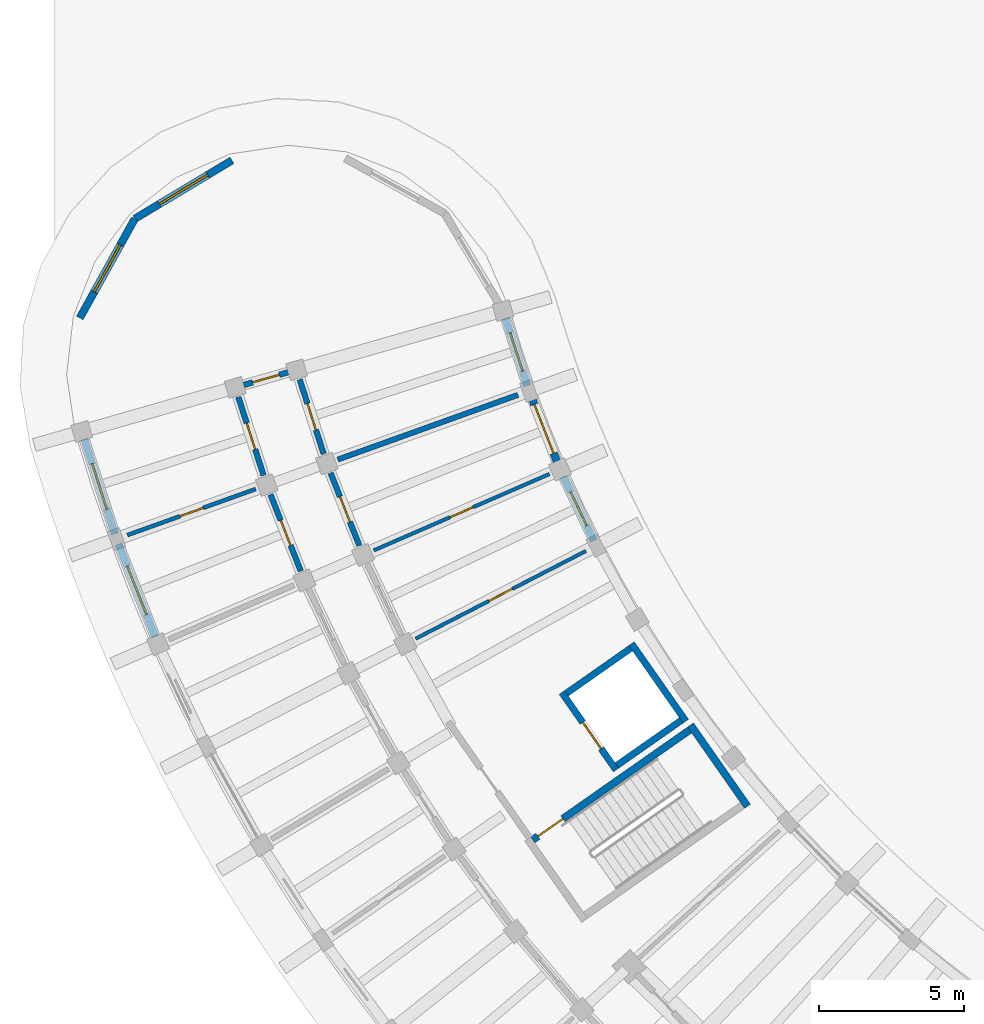
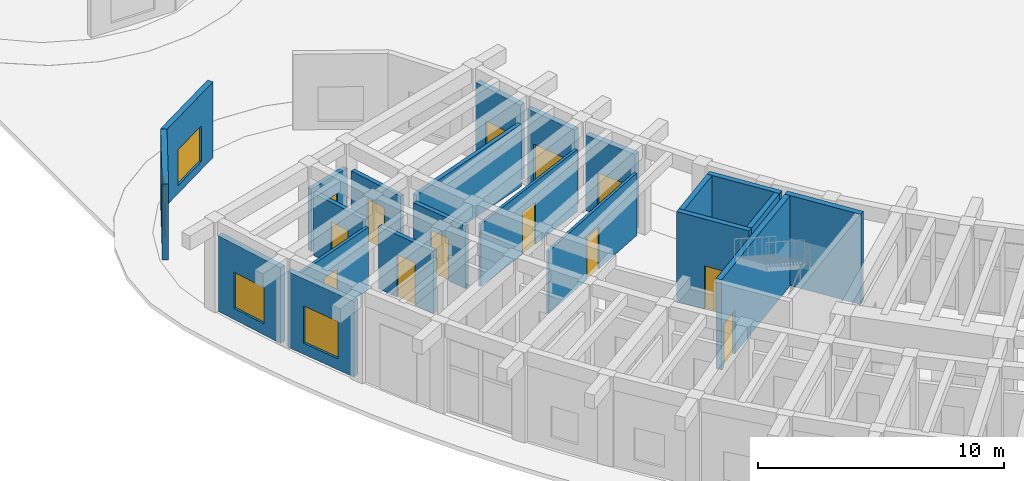
# One storey, part 89 of 132: 22 walls, 11 doors, 6 windows, 17 openings.
"""IFC4 building model written with IfcOpenShell, lengths in metres."""

from ifc_helpers import new_model, si_unit, direction, frame, frame_2d, origin, place, context, subcontext, project, spatial, rectangle, extrude, material, layer, layer_set, type_object, element, fill, save


model = new_model("IFC4")

# Units and contexts
model_context = context("Model", 3, precision=1e-05, world=origin(), true_north=direction((0.0, 1.0)))
body_context = subcontext(model_context, "Body", "Model", "MODEL_VIEW")
ifc_project = project(units=[si_unit("LENGTHUNIT", "METRE"), si_unit("AREAUNIT", "SQUARE_METRE"), si_unit("VOLUMEUNIT", "CUBIC_METRE"), si_unit("PLANEANGLEUNIT", "RADIAN"), si_unit("MASSUNIT", "GRAM", prefix="KILO")], contexts=[model_context])

# Site, building, storey
site_placement = place(None, origin())
site = spatial("IfcSite", under=ifc_project, at=site_placement, CompositionType="ELEMENT")
building_placement = place(site_placement, origin())
building = spatial("IfcBuilding", under=site, at=building_placement, Name="Tanwirah Colonnade Gardens", CompositionType="ELEMENT")
storey_placement = place(building_placement, origin())
storey = spatial("IfcBuildingStorey", under=building, at=storey_placement, Name="L00", CompositionType="ELEMENT", Elevation=0.0)

# Wall, opening, window
ifc_material_1 = material(Name="Limestone architectural precast concrete C40/50", Category="masonry")
ifc_layer_1 = layer(ifc_material_1, 0.260009765625)
ifc_layer_set_1 = layer_set([ifc_layer_1], Name="Limestone architectural precast concrete C40/50")
wall_type_1 = type_object("IfcWallType", Name="EW-PC260", PredefinedType="SOLIDWALL", material=ifc_layer_set_1)
wall_1_placement = place(storey_placement, frame((7.84130859375, 47.823974609375, 0.0), z_axis=(0.0, 0.0, 1.0), x_axis=(0.306963342814, -0.951721338506, 0.0)))
wall_1 = element("IfcWall", 1, at=wall_1_placement, inside=storey, type_object=wall_type_1, Name="Block C L00 OUT Precast Facade Wall 0", PredefinedType="SOLIDWALL", context=body_context, shape_type="SweptSolid", body=[
    extrude(rectangle(XDim=3.436767578125, YDim=0.260009765625, at=frame_2d((1.71826171875, 0.0))), origin(), (0.0, 0.0, 1.0), 3.7548828125),
])
opening_1_placement = place(wall_1_placement, frame((0.893310546875, 0.0, 0.550048828125)))
opening_1 = element("IfcOpeningElement", 2, at=opening_1_placement, cuts=wall_1, Name="Opening WIN-T11", PredefinedType="OPENING", context=body_context, shape_type="SweptSolid", body=[
    extrude(rectangle(XDim=1.64990234375, YDim=1.800048828125, at=frame_2d((0.824951171875, 0.89990234375))), frame((0.0, 0.139892578125, 0.0), z_axis=(0.0, -1.0, 0.0), x_axis=(1.0, 0.0, 0.0)), (0.0, 0.0, 1.0), 0.280029296875),
])
ifc_material_2 = material(Name="Thermally broken bronze aluminium and solar low-E double glazing", Category="aluminium")
window_type_1 = type_object("IfcWindowType", Name="WIN-T11", PartitioningType="DOUBLE_PANEL_VERTICAL", PredefinedType="WINDOW", material=ifc_material_2)
window_1_placement = place(opening_1_placement, origin())
window_1 = element("IfcWindow", 3, at=window_1_placement, inside=storey, type_object=window_type_1, Name="Facade window C-L00-OUT-00", OverallHeight=1.800048828125, OverallWidth=1.64990234375, PartitioningType="SINGLE_PANEL", PredefinedType="WINDOW", context=body_context, shape_type="SweptSolid", body=[
    extrude(rectangle(XDim=1.64990234375, YDim=1.800048828125, at=frame_2d((0.824951171875, 0.89990234375))), frame((0.0, 0.030029296875, 0.0), z_axis=(0.0, -1.0, 0.0), x_axis=(1.0, 0.0, 0.0)), (0.0, 0.0, 1.0), 0.06005859375),
])
fill(opening_1, window_1)

wall_2_placement = place(storey_placement, frame((22.3564453125, 51.986083984375, 0.0), z_axis=(0.0, 0.0, 1.0), x_axis=(0.306909552229, -0.951738686169, 0.0)))
wall_2 = element("IfcWall", 4, at=wall_2_placement, inside=storey, type_object=wall_type_1, Name="Block C L00 IN Precast Facade Wall 0", PredefinedType="SOLIDWALL", context=body_context, shape_type="SweptSolid", body=[
    extrude(rectangle(XDim=2.448486328125, YDim=0.260009765625, at=frame_2d((1.22412109375, 0.0))), origin(), (0.0, 0.0, 1.0), 3.7548828125),
])
opening_2_placement = place(wall_2_placement, frame((0.534423828125, 0.0, 0.550048828125)))
opening_2 = element("IfcOpeningElement", 5, at=opening_2_placement, cuts=wall_2, Name="Opening WIN-T18", PredefinedType="OPENING", context=body_context, shape_type="SweptSolid", body=[
    extrude(rectangle(XDim=1.3798828125, YDim=1.56005859375, at=frame_2d((0.68994140625, 0.780029296875))), frame((0.0, 0.139892578125, 0.0), z_axis=(0.0, -1.0, 0.0), x_axis=(1.0, 0.0, 0.0)), (0.0, 0.0, 1.0), 0.280029296875),
])
window_type_2 = type_object("IfcWindowType", Name="WIN-T18", PartitioningType="DOUBLE_PANEL_VERTICAL", PredefinedType="WINDOW", material=ifc_material_2)
window_2_placement = place(opening_2_placement, origin())
window_2 = element("IfcWindow", 6, at=window_2_placement, inside=storey, type_object=window_type_2, Name="Facade window C-L00-IN-00", OverallHeight=1.56005859375, OverallWidth=1.3798828125, PartitioningType="SINGLE_PANEL", PredefinedType="WINDOW", context=body_context, shape_type="SweptSolid", body=[
    extrude(rectangle(XDim=1.3798828125, YDim=1.56005859375, at=frame_2d((0.68994140625, 0.780029296875))), frame((0.0, 0.030029296875, 0.0), z_axis=(0.0, -1.0, 0.0), x_axis=(1.0, 0.0, 0.0)), (0.0, 0.0, 1.0), 0.06005859375),
])
fill(opening_2, window_2)

wall_3_placement = place(storey_placement, frame((9.021240234375, 44.205078125, 0.0), z_axis=(0.0, 0.0, 1.0), x_axis=(0.368547399693, -0.929608957669, 0.0)))
wall_3 = element("IfcWall", 7, at=wall_3_placement, inside=storey, type_object=wall_type_1, Name="Block C L00 OUT Precast Facade Wall 1", PredefinedType="SOLIDWALL", context=body_context, shape_type="SweptSolid", body=[
    extrude(rectangle(XDim=3.436767578125, YDim=0.260009765625, at=frame_2d((1.71826171875, 0.0))), origin(), (0.0, 0.0, 1.0), 3.7548828125),
])
opening_3_placement = place(wall_3_placement, frame((0.818359375, 0.0, 0.550048828125)))
opening_3 = element("IfcOpeningElement", 8, at=opening_3_placement, cuts=wall_3, Name="Opening WIN-T14", PredefinedType="OPENING", context=body_context, shape_type="SweptSolid", body=[
    extrude(rectangle(XDim=1.800048828125, YDim=1.85009765625, at=frame_2d((0.89990234375, 0.925048828125))), frame((0.0, 0.139892578125, 0.0), z_axis=(0.0, -1.0, 0.0), x_axis=(1.0, 0.0, 0.0)), (0.0, 0.0, 1.0), 0.280029296875),
])
window_type_3 = type_object("IfcWindowType", Name="WIN-T14", PartitioningType="TRIPLE_PANEL_VERTICAL", PredefinedType="WINDOW", material=ifc_material_2)
window_3_placement = place(opening_3_placement, origin())
window_3 = element("IfcWindow", 9, at=window_3_placement, inside=storey, type_object=window_type_3, Name="Facade window C-L00-OUT-01", OverallHeight=1.85009765625, OverallWidth=1.800048828125, PartitioningType="SINGLE_PANEL", PredefinedType="WINDOW", context=body_context, shape_type="SweptSolid", body=[
    extrude(rectangle(XDim=1.800048828125, YDim=1.85009765625, at=frame_2d((0.89990234375, 0.925048828125))), frame((0.0, 0.030029296875, 0.0), z_axis=(0.0, -1.0, 0.0), x_axis=(1.0, 0.0, 0.0)), (0.0, 0.0, 1.0), 0.06005859375),
])
fill(opening_3, window_3)

# Wall, opening, door
wall_4_placement = place(storey_placement, frame((23.23291015625, 49.3076171875, 0.0), z_axis=(0.0, 0.0, 1.0), x_axis=(0.368500941406, -0.92962737491, 0.0)))
wall_4 = element("IfcWall", 10, at=wall_4_placement, inside=storey, type_object=wall_type_1, Name="Block C L00 IN Precast Facade Wall 1", PredefinedType="SOLIDWALL", context=body_context, shape_type="SweptSolid", body=[
    extrude(rectangle(XDim=2.44873046875, YDim=0.260009765625, at=frame_2d((1.224365234375, 0.0))), origin(), (0.0, 0.0, 1.0), 3.7548828125),
])
opening_4_placement = place(wall_4_placement, frame((0.324462890625, 0.0, 0.0)))
opening_4 = element("IfcOpeningElement", 11, at=opening_4_placement, cuts=wall_4, Name="Opening L00-ED125", PredefinedType="OPENING", context=body_context, shape_type="SweptSolid", body=[
    extrude(rectangle(XDim=1.800048828125, YDim=2.14990234375, at=frame_2d((0.89990234375, 1.074951171875))), frame((0.0, 0.139892578125, 0.0), z_axis=(0.0, -1.0, 0.0), x_axis=(1.0, 0.0, 0.0)), (0.0, 0.0, 1.0), 0.280029296875),
])
ifc_material_3 = material(Name="Powder-coated galvanized steel fire exit door", Category="steel")
door_type_1 = type_object("IfcDoorType", Name="ED-EXIT18", OperationType="DOUBLE_DOOR_SINGLE_SWING", PredefinedType="DOOR", material=ifc_material_3)
door_1_placement = place(opening_4_placement, origin())
door_1 = element("IfcDoor", 12, at=door_1_placement, inside=storey, type_object=door_type_1, Name="Pedestrian final exit door L00-ED125", OperationType="DOUBLE_DOOR_SINGLE_SWING", OverallHeight=2.14990234375, OverallWidth=1.800048828125, PredefinedType="DOOR", context=body_context, shape_type="SweptSolid", body=[
    extrude(rectangle(XDim=1.800048828125, YDim=2.14990234375, at=frame_2d((0.89990234375, 1.074951171875))), frame((0.0, 0.02490234375, 0.0), z_axis=(0.0, -1.0, 0.0), x_axis=(1.0, 0.0, 0.0)), (0.0, 0.0, 1.0), 0.050048828125),
])
fill(opening_4, door_1)

# Wall, opening, window
wall_5_placement = place(storey_placement, frame((24.3544921875, 46.527099609375, 0.0), z_axis=(0.0, 0.0, 1.0), x_axis=(0.42853203261, -0.903526588998, 0.0)))
wall_5 = element("IfcWall", 13, at=wall_5_placement, inside=storey, type_object=wall_type_1, Name="Block C L00 IN Precast Facade Wall 2", PredefinedType="SOLIDWALL", context=body_context, shape_type="SweptSolid", body=[
    extrude(rectangle(XDim=2.44873046875, YDim=0.260009765625, at=frame_2d((1.224365234375, 0.0))), origin(), (0.0, 0.0, 1.0), 3.7548828125),
])
opening_5_placement = place(wall_5_placement, frame((0.58447265625, 0.0, 0.550048828125)))
opening_5 = element("IfcOpeningElement", 14, at=opening_5_placement, cuts=wall_5, Name="Opening WIN-U04", PredefinedType="OPENING", context=body_context, shape_type="SweptSolid", body=[
    extrude(rectangle(XDim=1.280029296875, YDim=1.56005859375, at=frame_2d((0.64013671875, 0.780029296875))), frame((0.0, 0.139892578125, 0.0), z_axis=(0.0, -1.0, 0.0), x_axis=(1.0, 0.0, 0.0)), (0.0, 0.0, 1.0), 0.280029296875),
])
window_type_4 = type_object("IfcWindowType", Name="WIN-U04", PartitioningType="DOUBLE_PANEL_VERTICAL", PredefinedType="WINDOW", material=ifc_material_2)
window_4_placement = place(opening_5_placement, origin())
window_4 = element("IfcWindow", 15, at=window_4_placement, inside=storey, type_object=window_type_4, Name="Facade window C-L00-IN-02", OverallHeight=1.56005859375, OverallWidth=1.280029296875, PartitioningType="SINGLE_PANEL", PredefinedType="WINDOW", context=body_context, shape_type="SweptSolid", body=[
    extrude(rectangle(XDim=1.280029296875, YDim=1.56005859375, at=frame_2d((0.64013671875, 0.780029296875))), frame((0.0, 0.030029296875, 0.0), z_axis=(0.0, -1.0, 0.0), x_axis=(1.0, 0.0, 0.0)), (0.0, 0.0, 1.0), 0.06005859375),
])
fill(opening_5, window_4)

wall_6_placement = place(storey_placement, frame((7.688720703125, 51.993408203125, 0.0), z_axis=(0.0, 0.0, 1.0), x_axis=(0.48481530532, 0.874616555828, 0.0)))
wall_6 = element("IfcWall", 16, at=wall_6_placement, inside=storey, type_object=wall_type_1, Name="Block C L00 START Rounded End Wall 1", PredefinedType="SOLIDWALL", context=body_context, shape_type="SweptSolid", body=[
    extrude(rectangle(XDim=3.908203125, YDim=0.260009765625, at=frame_2d((1.9541015625, 0.0))), origin(), (0.0, 0.0, 1.0), 3.7548828125),
])
opening_6_placement = place(wall_6_placement, frame((1.029052734375, 0.0, 0.39990234375)))
opening_6 = element("IfcOpeningElement", 17, at=opening_6_placement, cuts=wall_6, Name="Opening WIN-END1", PredefinedType="OPENING", context=body_context, shape_type="SweptSolid", body=[
    extrude(rectangle(XDim=1.85009765625, YDim=1.719970703125, at=frame_2d((0.925048828125, 0.85986328125))), frame((0.0, 0.139892578125, 0.0), z_axis=(0.0, -1.0, 0.0), x_axis=(1.0, 0.0, 0.0)), (0.0, 0.0, 1.0), 0.280029296875),
])
window_type_5 = type_object("IfcWindowType", Name="WIN-END1", PartitioningType="TRIPLE_PANEL_VERTICAL", PredefinedType="WINDOW", material=ifc_material_2)
window_5_placement = place(opening_6_placement, origin())
window_5 = element("IfcWindow", 18, at=window_5_placement, inside=storey, type_object=window_type_5, Name="Rounded corner window C-L00-START-1", OverallHeight=1.719970703125, OverallWidth=1.85009765625, PartitioningType="SINGLE_PANEL", PredefinedType="WINDOW", context=body_context, shape_type="SweptSolid", body=[
    extrude(rectangle(XDim=1.85009765625, YDim=1.719970703125, at=frame_2d((0.925048828125, 0.85986328125))), frame((0.0, 0.030029296875, 0.0), z_axis=(0.0, -1.0, 0.0), x_axis=(1.0, 0.0, 0.0)), (0.0, 0.0, 1.0), 0.06005859375),
])
fill(opening_6, window_5)

wall_7_placement = place(storey_placement, frame((9.58349609375, 55.41162109375, 0.0), z_axis=(0.0, 0.0, 1.0), x_axis=(0.857178568309, 0.515019321998, 0.0)))
wall_7 = element("IfcWall", 19, at=wall_7_placement, inside=storey, type_object=wall_type_1, Name="Block C L00 START Rounded End Wall 2", PredefinedType="SOLIDWALL", context=body_context, shape_type="SweptSolid", body=[
    extrude(rectangle(XDim=3.907958984375, YDim=0.260009765625, at=frame_2d((1.9541015625, 0.0))), origin(), (0.0, 0.0, 1.0), 3.7548828125),
])
opening_7_placement = place(wall_7_placement, frame((0.97900390625, 0.0, 0.39990234375)))
opening_7 = element("IfcOpeningElement", 20, at=opening_7_placement, cuts=wall_7, Name="Opening WIN-END2", PredefinedType="OPENING", context=body_context, shape_type="SweptSolid", body=[
    extrude(rectangle(XDim=1.949951171875, YDim=1.780029296875, at=frame_2d((0.97509765625, 0.89013671875))), frame((0.0, 0.139892578125, 0.0), z_axis=(0.0, -1.0, 0.0), x_axis=(1.0, 0.0, 0.0)), (0.0, 0.0, 1.0), 0.280029296875),
])
window_type_6 = type_object("IfcWindowType", Name="WIN-END2", PartitioningType="TRIPLE_PANEL_VERTICAL", PredefinedType="WINDOW", material=ifc_material_2)
window_6_placement = place(opening_7_placement, origin())
window_6 = element("IfcWindow", 21, at=window_6_placement, inside=storey, type_object=window_type_6, Name="Rounded corner window C-L00-START-2", OverallHeight=1.780029296875, OverallWidth=1.949951171875, PartitioningType="SINGLE_PANEL", PredefinedType="WINDOW", context=body_context, shape_type="SweptSolid", body=[
    extrude(rectangle(XDim=1.949951171875, YDim=1.780029296875, at=frame_2d((0.97509765625, 0.89013671875))), frame((0.0, 0.030029296875, 0.0), z_axis=(0.0, -1.0, 0.0), x_axis=(1.0, 0.0, 0.0)), (0.0, 0.0, 1.0), 0.06005859375),
])
fill(opening_7, window_6)

# Wall, opening, door
ifc_material_4 = material(Name="Precast concrete C40/50", Category="concrete")
ifc_layer_2 = layer(ifc_material_4, 0.195068359375)
ifc_layer_set_2 = layer_set([ifc_layer_2], Name="Precast concrete C40/50")
wall_type_2 = type_object("IfcWallType", Name="IW-CORR195", PredefinedType="PARTITIONING", material=ifc_layer_set_2)
wall_8_placement = place(storey_placement, frame((13.151123046875, 49.268798828125, 0.0), z_axis=(0.0, 0.0, 1.0), x_axis=(0.30694495224, -0.951727269912, 0.0)))
wall_8 = element("IfcWall", 22, at=wall_8_placement, inside=storey, type_object=wall_type_2, Name="Block C L00 OUT Corridor Wall 0", PredefinedType="PARTITIONING", context=body_context, shape_type="SweptSolid", body=[
    extrude(rectangle(XDim=2.837158203125, YDim=0.195068359375, at=frame_2d((1.41845703125, 0.0))), origin(), (0.0, 0.0, 1.0), 3.10009765625),
])
opening_8_placement = place(wall_8_placement, frame((0.943603515625, 0.0, 0.0)))
opening_8 = element("IfcOpeningElement", 23, at=opening_8_placement, cuts=wall_8, Name="Opening L00-AD1279", PredefinedType="OPENING", context=body_context, shape_type="SweptSolid", body=[
    extrude(rectangle(XDim=0.949951171875, YDim=2.1298828125, at=frame_2d((0.47509765625, 1.06494140625))), frame((0.0, 0.107421875, 0.0), z_axis=(0.0, -1.0, 0.0), x_axis=(1.0, 0.0, 0.0)), (0.0, 0.0, 1.0), 0.215087890625),
])
ifc_material_5 = material(Name="Solid oak fire-resisting apartment entrance door")
door_type_2 = type_object("IfcDoorType", Name="ID-FLT095", OperationType="NOTDEFINED", PredefinedType="DOOR", material=ifc_material_5)
door_2_placement = place(opening_8_placement, origin())
door_2 = element("IfcDoor", 24, at=door_2_placement, inside=storey, type_object=door_type_2, Name="Apartment corridor door L00-AD1279", OperationType="SINGLE_SWING_LEFT", OverallHeight=2.1298828125, OverallWidth=0.949951171875, PredefinedType="DOOR", context=body_context, shape_type="SweptSolid", body=[
    extrude(rectangle(XDim=0.949951171875, YDim=2.1298828125, at=frame_2d((0.47509765625, 1.06494140625))), frame((0.0, 0.02490234375, 0.0), z_axis=(0.0, -1.0, 0.0), x_axis=(1.0, 0.0, 0.0)), (0.0, 0.0, 1.0), 0.050048828125),
])
fill(opening_8, door_2)

wall_9_placement = place(storey_placement, frame((15.26611328125, 49.875, 0.0), z_axis=(0.0, 0.0, 1.0), x_axis=(0.306883578189, -0.951747061691, 0.0)))
wall_9 = element("IfcWall", 25, at=wall_9_placement, inside=storey, type_object=wall_type_2, Name="Block C L00 IN Corridor Wall 0", PredefinedType="PARTITIONING", context=body_context, shape_type="SweptSolid", body=[
    extrude(rectangle(XDim=2.69287109375, YDim=0.195068359375, at=frame_2d((1.346435546875, 0.0))), origin(), (0.0, 0.0, 1.0), 3.10009765625),
])
opening_9_placement = place(wall_9_placement, frame((0.87158203125, 0.0, 0.0)))
opening_9 = element("IfcOpeningElement", 26, at=opening_9_placement, cuts=wall_9, Name="Opening L00-AD1280", PredefinedType="OPENING", context=body_context, shape_type="SweptSolid", body=[
    extrude(rectangle(XDim=0.949951171875, YDim=2.1298828125, at=frame_2d((0.47509765625, 1.06494140625))), frame((0.0, 0.107421875, 0.0), z_axis=(0.0, -1.0, 0.0), x_axis=(1.0, 0.0, 0.0)), (0.0, 0.0, 1.0), 0.215087890625),
])
door_3_placement = place(opening_9_placement, origin())
door_3 = element("IfcDoor", 27, at=door_3_placement, inside=storey, type_object=door_type_2, Name="Apartment corridor door L00-AD1280", OperationType="SINGLE_SWING_RIGHT", OverallHeight=2.1298828125, OverallWidth=0.949951171875, PredefinedType="DOOR", context=body_context, shape_type="SweptSolid", body=[
    extrude(rectangle(XDim=0.949951171875, YDim=2.1298828125, at=frame_2d((0.47509765625, 1.06494140625))), frame((0.0, 0.02490234375, 0.0), z_axis=(0.0, -1.0, 0.0), x_axis=(1.0, 0.0, 0.0)), (0.0, 0.0, 1.0), 0.050048828125),
])
fill(opening_9, door_3)

wall_10_placement = place(storey_placement, frame((14.25830078125, 45.91015625, 0.0), z_axis=(0.0, 0.0, 1.0), x_axis=(0.368584691693, -0.929594172233, 0.0)))
wall_10 = element("IfcWall", 28, at=wall_10_placement, inside=storey, type_object=wall_type_2, Name="Block C L00 OUT Corridor Wall 1", PredefinedType="PARTITIONING", context=body_context, shape_type="SweptSolid", body=[
    extrude(rectangle(XDim=2.8369140625, YDim=0.195068359375, at=frame_2d((1.41845703125, 0.0))), origin(), (0.0, 0.0, 1.0), 3.10009765625),
])
opening_10_placement = place(wall_10_placement, frame((0.95361328125, 0.0, 0.0)))
opening_10 = element("IfcOpeningElement", 29, at=opening_10_placement, cuts=wall_10, Name="Opening L00-AD1282", PredefinedType="OPENING", context=body_context, shape_type="SweptSolid", body=[
    extrude(rectangle(XDim=0.929931640625, YDim=2.1201171875, at=frame_2d((0.46484375, 1.06005859375))), frame((0.0, 0.107421875, 0.0), z_axis=(0.0, -1.0, 0.0), x_axis=(1.0, 0.0, 0.0)), (0.0, 0.0, 1.0), 0.215087890625),
])
door_type_3 = type_object("IfcDoorType", Name="ID-FLT093", OperationType="NOTDEFINED", PredefinedType="DOOR", material=ifc_material_5)
door_4_placement = place(opening_10_placement, origin())
door_4 = element("IfcDoor", 30, at=door_4_placement, inside=storey, type_object=door_type_3, Name="Apartment corridor door L00-AD1282", OperationType="SINGLE_SWING_RIGHT", OverallHeight=2.1201171875, OverallWidth=0.929931640625, PredefinedType="DOOR", context=body_context, shape_type="SweptSolid", body=[
    extrude(rectangle(XDim=0.929931640625, YDim=2.1201171875, at=frame_2d((0.46484375, 1.06005859375))), frame((0.0, 0.02490234375, 0.0), z_axis=(0.0, -1.0, 0.0), x_axis=(1.0, 0.0, 0.0)), (0.0, 0.0, 1.0), 0.050048828125),
])
fill(opening_10, door_4)

wall_11_placement = place(storey_placement, frame((16.3291015625, 46.653564453125, 0.0), z_axis=(0.0, 0.0, 1.0), x_axis=(0.368528468945, -0.929616462622, 0.0)))
wall_11 = element("IfcWall", 31, at=wall_11_placement, inside=storey, type_object=wall_type_2, Name="Block C L00 IN Corridor Wall 1", PredefinedType="PARTITIONING", context=body_context, shape_type="SweptSolid", body=[
    extrude(rectangle(XDim=2.69287109375, YDim=0.195068359375, at=frame_2d((1.346435546875, 0.0))), origin(), (0.0, 0.0, 1.0), 3.10009765625),
])
opening_11_placement = place(wall_11_placement, frame((0.881591796875, 0.0, 0.0)))
opening_11 = element("IfcOpeningElement", 32, at=opening_11_placement, cuts=wall_11, Name="Opening L00-AD1283", PredefinedType="OPENING", context=body_context, shape_type="SweptSolid", body=[
    extrude(rectangle(XDim=0.929931640625, YDim=2.1201171875, at=frame_2d((0.46484375, 1.06005859375))), frame((0.0, 0.107421875, 0.0), z_axis=(0.0, -1.0, 0.0), x_axis=(1.0, 0.0, 0.0)), (0.0, 0.0, 1.0), 0.215087890625),
])
door_5_placement = place(opening_11_placement, origin())
door_5 = element("IfcDoor", 33, at=door_5_placement, inside=storey, type_object=door_type_3, Name="Apartment corridor door L00-AD1283", OperationType="SINGLE_SWING_LEFT", OverallHeight=2.1201171875, OverallWidth=0.929931640625, PredefinedType="DOOR", context=body_context, shape_type="SweptSolid", body=[
    extrude(rectangle(XDim=0.929931640625, YDim=2.1201171875, at=frame_2d((0.46484375, 1.06005859375))), frame((0.0, 0.02490234375, 0.0), z_axis=(0.0, -1.0, 0.0), x_axis=(1.0, 0.0, 0.0)), (0.0, 0.0, 1.0), 0.050048828125),
])
fill(opening_11, door_5)

wall_12_placement = place(storey_placement, frame((15.110595703125, 50.1943359375, 0.0), z_axis=(0.0, 0.0, 1.0), x_axis=(-0.961264701934, -0.275626872449, 0.0)))
wall_12 = element("IfcWall", 34, at=wall_12_placement, inside=storey, type_object=wall_type_2, Name="Block C L00 CS Corner Suite Corridor Wall", PredefinedType="PARTITIONING", context=body_context, shape_type="SweptSolid", body=[
    extrude(rectangle(XDim=2.10009765625, YDim=0.195068359375, at=frame_2d((1.050048828125, 0.0))), origin(), (0.0, 0.0, 1.0), 3.10009765625),
])
opening_12_placement = place(wall_12_placement, frame((0.570068359375, 0.0, 0.0)))
opening_12 = element("IfcOpeningElement", 35, at=opening_12_placement, cuts=wall_12, Name="Opening L00-CD1313", PredefinedType="OPENING", context=body_context, shape_type="SweptSolid", body=[
    extrude(rectangle(XDim=0.949951171875, YDim=2.1298828125, at=frame_2d((0.47509765625, 1.06494140625))), frame((0.0, 0.107421875, 0.0), z_axis=(0.0, -1.0, 0.0), x_axis=(1.0, 0.0, 0.0)), (0.0, 0.0, 1.0), 0.215087890625),
])
door_6_placement = place(opening_12_placement, origin())
door_6 = element("IfcDoor", 36, at=door_6_placement, inside=storey, type_object=door_type_2, Name="Corner suite entrance door L00-CD1313", OperationType="SINGLE_SWING_LEFT", OverallHeight=2.1298828125, OverallWidth=0.949951171875, PredefinedType="DOOR", context=body_context, shape_type="SweptSolid", body=[
    extrude(rectangle(XDim=0.949951171875, YDim=2.1298828125, at=frame_2d((0.47509765625, 1.06494140625))), frame((0.0, 0.02490234375, 0.0), z_axis=(0.0, -1.0, 0.0), x_axis=(1.0, 0.0, 0.0)), (0.0, 0.0, 1.0), 0.050048828125),
])
fill(opening_12, door_6)

# Wall
ifc_layer_3 = layer(ifc_material_4, 0.18505859375)
ifc_layer_set_3 = layer_set([ifc_layer_3], Name="Precast concrete C40/50")
wall_type_3 = type_object("IfcWallType", Name="IW-DEM185", PredefinedType="PARTITIONING", material=ifc_layer_set_3)
wall_13_placement = place(storey_placement, frame((22.788330078125, 49.344482421875, 0.0), z_axis=(0.0, 0.0, 1.0), x_axis=(-0.941179890997, -0.337905922978, 0.0)))
element("IfcWall", 37, at=wall_13_placement, inside=storey, type_object=wall_type_3, Name="Block C L00 Inner Radial Partition 0", PredefinedType="PARTITIONING", context=body_context, shape_type="SweptSolid", body=[
    extrude(rectangle(XDim=6.60009765625, YDim=0.18505859375, at=frame_2d((3.300048828125, 0.0))), origin(), (0.0, 0.0, 1.0), 3.10009765625),
])

# Wall, opening, door
ifc_material_6 = material(Name="Moisture-resistant gypsum stud partition")
ifc_layer_4 = layer(ifc_material_6, 0.125)
ifc_layer_set_4 = layer_set([ifc_layer_4], Name="Moisture-resistant gypsum stud partition")
wall_type_4 = type_object("IfcWallType", Name="IW-INT125", PredefinedType="PARTITIONING", material=ifc_layer_set_4)
wall_14_placement = place(storey_placement, frame((23.869873046875, 46.6162109375, 0.0), z_axis=(0.0, 0.0, 1.0), x_axis=(-0.9170582943, -0.398753162817, 0.0)))
wall_14 = element("IfcWall", 38, at=wall_14_placement, inside=storey, type_object=wall_type_4, Name="Block C L00 Inner Radial Partition 1", PredefinedType="PARTITIONING", context=body_context, shape_type="SweptSolid", body=[
    extrude(rectangle(XDim=6.60009765625, YDim=0.125, at=frame_2d((3.300048828125, 0.0))), origin(), (0.0, 0.0, 1.0), 3.10009765625),
])
opening_13_placement = place(wall_14_placement, frame((2.864990234375, 0.0, 0.0)))
opening_13 = element("IfcOpeningElement", 39, at=opening_13_placement, cuts=wall_14, Name="Opening L00-RD1284", PredefinedType="OPENING", context=body_context, shape_type="SweptSolid", body=[
    extrude(rectangle(XDim=0.8701171875, YDim=2.080078125, at=frame_2d((0.43505859375, 1.0400390625))), frame((0.0, 0.072509765625, 0.0), z_axis=(0.0, -1.0, 0.0), x_axis=(1.0, 0.0, 0.0)), (0.0, 0.0, 1.0), 0.14501953125),
])
ifc_material_7 = material(Name="Painted hardwood study door", Category="wood")
door_type_4 = type_object("IfcDoorType", Name="ID-RM087", OperationType="NOTDEFINED", PredefinedType="DOOR", material=ifc_material_7)
door_7_placement = place(opening_13_placement, origin())
door_7 = element("IfcDoor", 40, at=door_7_placement, inside=storey, type_object=door_type_4, Name="Internal apartment door L00-RD1284", OperationType="SINGLE_SWING_LEFT", OverallHeight=2.080078125, OverallWidth=0.8701171875, PredefinedType="DOOR", context=body_context, shape_type="SweptSolid", body=[
    extrude(rectangle(XDim=0.8701171875, YDim=2.080078125, at=frame_2d((0.43505859375, 1.0400390625))), frame((0.0, 0.02490234375, 0.0), z_axis=(0.0, -1.0, 0.0), x_axis=(1.0, 0.0, 0.0)), (0.0, 0.0, 1.0), 0.050048828125),
])
fill(opening_13, door_7)

wall_15_placement = place(storey_placement, frame((25.127685546875, 43.96435546875, 0.0), z_axis=(0.0, 0.0, 1.0), x_axis=(-0.889022010753, -0.457864460727, 0.0)))
wall_15 = element("IfcWall", 41, at=wall_15_placement, inside=storey, type_object=wall_type_4, Name="Block C L00 Inner Radial Partition 2", PredefinedType="PARTITIONING", context=body_context, shape_type="SweptSolid", body=[
    extrude(rectangle(XDim=6.60009765625, YDim=0.125, at=frame_2d((3.300048828125, 0.0))), origin(), (0.0, 0.0, 1.0), 3.10009765625),
])
opening_14_placement = place(wall_15_placement, frame((2.844970703125, 0.0, 0.0)))
opening_14 = element("IfcOpeningElement", 42, at=opening_14_placement, cuts=wall_15, Name="Opening L00-RD1287", PredefinedType="OPENING", context=body_context, shape_type="SweptSolid", body=[
    extrude(rectangle(XDim=0.909912109375, YDim=2.10009765625, at=frame_2d((0.455078125, 1.050048828125))), frame((0.0, 0.072509765625, 0.0), z_axis=(0.0, -1.0, 0.0), x_axis=(1.0, 0.0, 0.0)), (0.0, 0.0, 1.0), 0.14501953125),
])
ifc_material_8 = material(Name="Painted hardwood internal room door", Category="wood")
door_type_5 = type_object("IfcDoorType", Name="ID-RM091", OperationType="NOTDEFINED", PredefinedType="DOOR", material=ifc_material_8)
door_8_placement = place(opening_14_placement, origin())
door_8 = element("IfcDoor", 43, at=door_8_placement, inside=storey, type_object=door_type_5, Name="Internal apartment door L00-RD1287", OperationType="SINGLE_SWING_RIGHT", OverallHeight=2.10009765625, OverallWidth=0.909912109375, PredefinedType="DOOR", context=body_context, shape_type="SweptSolid", body=[
    extrude(rectangle(XDim=0.909912109375, YDim=2.10009765625, at=frame_2d((0.455078125, 1.050048828125))), frame((0.0, 0.02490234375, 0.0), z_axis=(0.0, -1.0, 0.0), x_axis=(1.0, 0.0, 0.0)), (0.0, 0.0, 1.0), 0.050048828125),
])
fill(opening_14, door_8)

ifc_material_9 = material(Name="Water-resistant acoustic plumbing partition")
ifc_layer_5 = layer(ifc_material_9, 0.139892578125)
ifc_layer_set_5 = layer_set([ifc_layer_5], Name="Water-resistant acoustic plumbing partition")
wall_type_5 = type_object("IfcWallType", Name="IW-WET140", PredefinedType="PLUMBINGWALL", material=ifc_layer_set_5)
wall_16_placement = place(storey_placement, frame((13.7529296875, 46.100341796875, 0.0), z_axis=(0.0, 0.0, 1.0), x_axis=(-0.941182387398, -0.337898969591, 0.0)))
wall_16 = element("IfcWall", 44, at=wall_16_placement, inside=storey, type_object=wall_type_5, Name="Block C L00 Radial Partition 0", PredefinedType="PLUMBINGWALL", context=body_context, shape_type="SweptSolid", body=[
    extrude(rectangle(XDim=4.699951171875, YDim=0.139892578125, at=frame_2d((2.35009765625, 0.0))), origin(), (0.0, 0.0, 1.0), 3.10009765625),
])
opening_15_placement = place(wall_16_placement, frame((1.925048828125, 0.0, 0.0)))
opening_15 = element("IfcOpeningElement", 45, at=opening_15_placement, cuts=wall_16, Name="Opening L00-RD1281", PredefinedType="OPENING", context=body_context, shape_type="SweptSolid", body=[
    extrude(rectangle(XDim=0.85009765625, YDim=2.050048828125, at=frame_2d((0.425048828125, 1.02490234375))), frame((0.0, 0.079833984375, 0.0), z_axis=(0.0, -1.0, 0.0), x_axis=(1.0, 0.0, 0.0)), (0.0, 0.0, 1.0), 0.159912109375),
])
ifc_material_10 = material(Name="Moisture-resistant en-suite door")
door_type_6 = type_object("IfcDoorType", Name="ID-WET085", OperationType="NOTDEFINED", PredefinedType="DOOR", material=ifc_material_10)
door_9_placement = place(opening_15_placement, origin())
door_9 = element("IfcDoor", 46, at=door_9_placement, inside=storey, type_object=door_type_6, Name="Internal apartment door L00-RD1281", OperationType="SINGLE_SWING_LEFT", OverallHeight=2.050048828125, OverallWidth=0.85009765625, PredefinedType="DOOR", context=body_context, shape_type="SweptSolid", body=[
    extrude(rectangle(XDim=0.85009765625, YDim=2.050048828125, at=frame_2d((0.425048828125, 1.02490234375))), frame((0.0, 0.02490234375, 0.0), z_axis=(0.0, -1.0, 0.0), x_axis=(1.0, 0.0, 0.0)), (0.0, 0.0, 1.0), 0.050048828125),
])
fill(opening_15, door_9)

# Wall
ifc_material_11 = material(Name="Concrete C45/55", Category="concrete")
ifc_layer_6 = layer(ifc_material_11, 0.25)
ifc_layer_set_6 = layer_set([ifc_layer_6], Name="Concrete C45/55")
wall_type_6 = type_object("IfcWallType", Name="SW-CORE250", PredefinedType="SHEAR", material=ifc_layer_set_6)
wall_17_placement = place(storey_placement, frame((30.694580078125, 35.168701171875, 0.0), z_axis=(0.0, 0.0, 1.0), x_axis=(-0.573582112484, 0.819148069789, 0.0)))
element("IfcWall", 47, at=wall_17_placement, inside=storey, type_object=wall_type_6, Name="CORE-C1 L00 Stair Shaft Shear Wall FAR", PredefinedType="SHEAR", context=body_context, shape_type="SweptSolid", body=[
    extrude(rectangle(XDim=3.419921875, YDim=0.25, at=frame_2d((1.7099609375, 0.0))), origin(), (0.0, 0.0, 1.0), 4.47998046875),
])

# Wall, opening, door
wall_18_placement = place(storey_placement, frame((23.2958984375, 34.010498046875, 0.0), z_axis=(0.0, 0.0, 1.0), x_axis=(0.819153711596, 0.573574055182, 0.0)))
wall_18 = element("IfcWall", 48, at=wall_18_placement, inside=storey, type_object=wall_type_6, Name="CORE-C1 L00 Stair Shaft Shear Wall RIGHT", PredefinedType="SHEAR", context=body_context, shape_type="SweptSolid", body=[
    extrude(rectangle(XDim=6.60009765625, YDim=0.25, at=frame_2d((3.300048828125, 0.0))), origin(), (0.0, 0.0, 1.0), 4.47998046875),
])
opening_16_placement = place(wall_18_placement, frame((0.219970703125, 0.0, 0.0)))
opening_16 = element("IfcOpeningElement", 49, at=opening_16_placement, cuts=wall_18, Name="Opening L00-SD122", PredefinedType="OPENING", context=body_context, shape_type="SweptSolid", body=[
    extrude(rectangle(XDim=1.050048828125, YDim=2.14990234375, at=frame_2d((0.52490234375, 1.074951171875))), frame((0.0, 0.135009765625, 0.0), z_axis=(0.0, -1.0, 0.0), x_axis=(1.0, 0.0, 0.0)), (0.0, 0.0, 1.0), 0.27001953125),
])
ifc_material_12 = material(Name="Steel fire-resisting stair enclosure door", Category="steel")
door_type_7 = type_object("IfcDoorType", Name="ID-ST105", OperationType="NOTDEFINED", PredefinedType="DOOR", material=ifc_material_12)
door_10_placement = place(opening_16_placement, origin())
door_10 = element("IfcDoor", 50, at=door_10_placement, inside=storey, type_object=door_type_7, Name="CORE-C1 L00 Stair Fire Door L00-SD122", OperationType="SINGLE_SWING_LEFT", OverallHeight=2.14990234375, OverallWidth=1.050048828125, PredefinedType="DOOR", context=body_context, shape_type="SweptSolid", body=[
    extrude(rectangle(XDim=1.050048828125, YDim=2.14990234375, at=frame_2d((0.52490234375, 1.074951171875))), frame((0.0, 0.02490234375, 0.0), z_axis=(0.0, -1.0, 0.0), x_axis=(1.0, 0.0, 0.0)), (0.0, 0.0, 1.0), 0.050048828125),
])
fill(opening_16, door_10)

ifc_layer_7 = layer(ifc_material_11, 0.22998046875)
ifc_layer_set_7 = layer_set([ifc_layer_7], Name="Concrete C45/55")
wall_type_7 = type_object("IfcWallType", Name="SW-LIFT230", PredefinedType="SHEAR", material=ifc_layer_set_7)
wall_19_placement = place(storey_placement, frame((26.1689453125, 36.419189453125, 0.0), z_axis=(0.0, 0.0, 1.0), x_axis=(-0.573582966431, 0.819147471839, 0.0)))
wall_19 = element("IfcWall", 51, at=wall_19_placement, inside=storey, type_object=wall_type_7, Name="CORE-C1 L00 Lift Shaft Wall FRONT", PredefinedType="SHEAR", context=body_context, shape_type="SweptSolid", body=[
    extrude(rectangle(XDim=3.260009765625, YDim=0.22998046875, at=frame_2d((1.6298828125, 0.0))), origin(), (0.0, 0.0, 1.0), 4.47998046875),
])
opening_17_placement = place(wall_19_placement, frame((0.89990234375, 0.0, 0.0)))
opening_17 = element("IfcOpeningElement", 52, at=opening_17_placement, cuts=wall_19, Name="Opening L00-LD-FL-C1", PredefinedType="OPENING", context=body_context, shape_type="SweptSolid", body=[
    extrude(rectangle(XDim=1.10009765625, YDim=2.14990234375, at=frame_2d((0.550048828125, 1.074951171875))), frame((0.0, 0.125, 0.0), z_axis=(0.0, -1.0, 0.0), x_axis=(1.0, 0.0, 0.0)), (0.0, 0.0, 1.0), 0.25),
])
ifc_material_13 = material(Name="Stainless steel sliding fire lift landing door", Category="steel")
door_type_8 = type_object("IfcDoorType", Name="LD-FF11", OperationType="DOUBLE_DOOR_SLIDING", PredefinedType="DOOR", material=ifc_material_13)
door_11_placement = place(opening_17_placement, origin())
door_11 = element("IfcDoor", 53, at=door_11_placement, inside=storey, type_object=door_type_8, Name="Lift FL-C1 L00 Sliding Landing Door", OperationType="DOUBLE_DOOR_SLIDING", OverallHeight=2.14990234375, OverallWidth=1.10009765625, PredefinedType="DOOR", context=body_context, shape_type="SweptSolid", body=[
    extrude(rectangle(XDim=1.10009765625, YDim=2.14990234375, at=frame_2d((0.550048828125, 1.074951171875))), frame((0.0, 0.02490234375, 0.0), z_axis=(0.0, -1.0, 0.0), x_axis=(1.0, 0.0, 0.0)), (0.0, 0.0, 1.0), 0.050048828125),
])
fill(opening_17, door_11)

# Walls
wall_20_placement = place(storey_placement, frame((28.569091796875, 38.099609375, 0.0), z_axis=(0.0, 0.0, 1.0), x_axis=(-0.573582966431, 0.819147471839, 0.0)))
element("IfcWall", 54, at=wall_20_placement, inside=storey, type_object=wall_type_7, Name="CORE-C1 L00 Lift Shaft Wall BACK", PredefinedType="SHEAR", context=body_context, shape_type="SweptSolid", body=[
    extrude(rectangle(XDim=3.260009765625, YDim=0.22998046875, at=frame_2d((1.6298828125, 0.0))), origin(), (0.0, 0.0, 1.0), 4.47998046875),
])
wall_21_placement = place(storey_placement, frame((26.197265625, 36.579345703125, 0.0), z_axis=(0.0, 0.0, 1.0), x_axis=(0.819159695432, 0.573565509231, 0.0)))
element("IfcWall", 55, at=wall_21_placement, inside=storey, type_object=wall_type_7, Name="CORE-C1 L00 Lift Shaft Wall SIDEA", PredefinedType="SHEAR", context=body_context, shape_type="SweptSolid", body=[
    extrude(rectangle(XDim=2.699951171875, YDim=0.22998046875, at=frame_2d((1.35009765625, 0.0))), origin(), (0.0, 0.0, 1.0), 4.47998046875),
])
wall_22_placement = place(storey_placement, frame((24.459228515625, 39.061279296875, 0.0), z_axis=(0.0, 0.0, 1.0), x_axis=(0.819189439894, 0.573523026186, 0.0)))
element("IfcWall", 56, at=wall_22_placement, inside=storey, type_object=wall_type_7, Name="CORE-C1 L00 Lift Shaft Wall SIDEB", PredefinedType="SHEAR", context=body_context, shape_type="SweptSolid", body=[
    extrude(rectangle(XDim=2.7001953125, YDim=0.22998046875, at=frame_2d((1.35009765625, 0.0))), origin(), (0.0, 0.0, 1.0), 4.47998046875),
])

save(model, "model.ifc")
